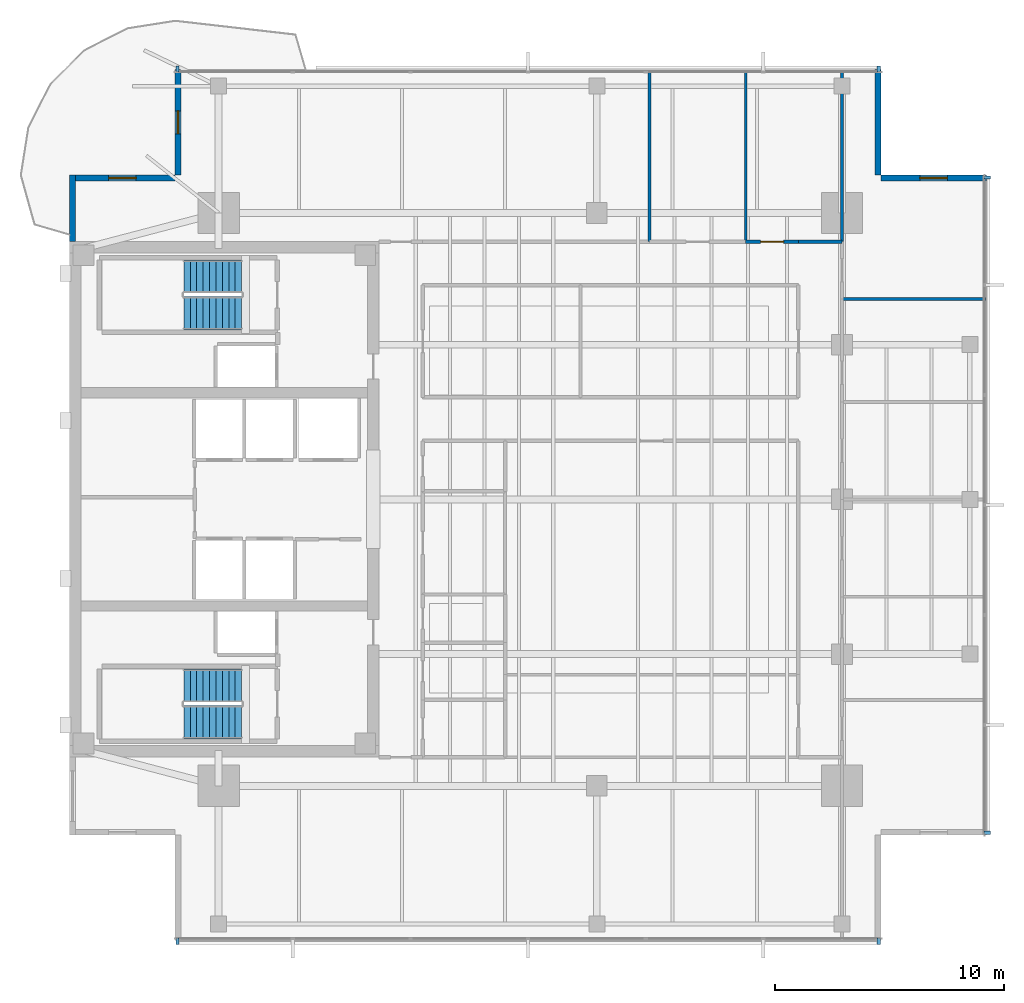
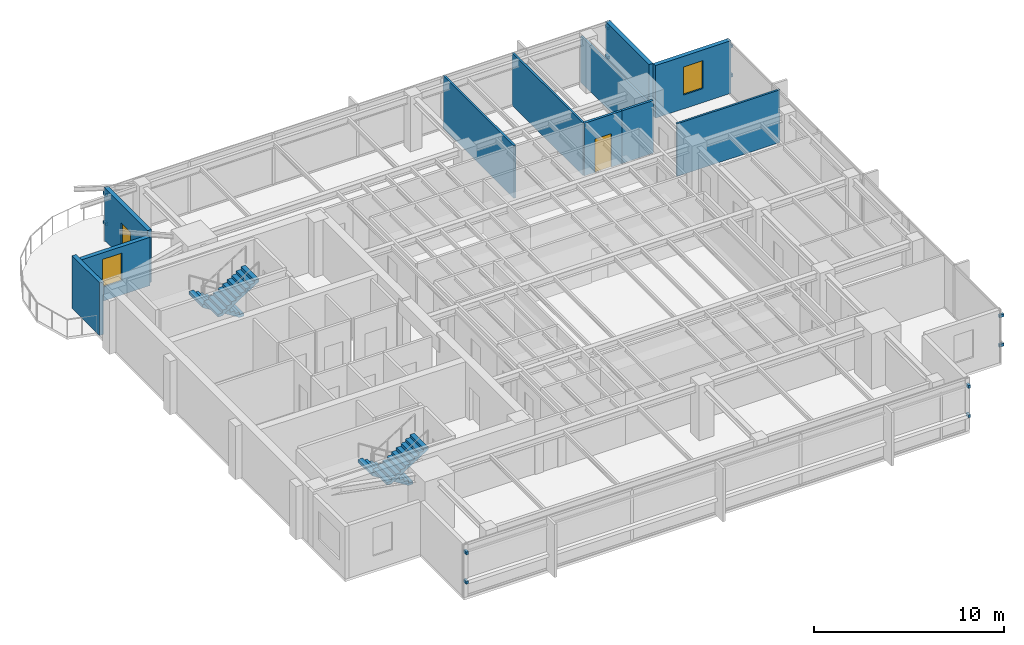
# One storey, part 10 of 14: 12 discrete accessories, 11 walls, 4 stair flights, 2 doors, 2 windows, 4 openings, 2 elements without a shape of their own.
"""IFC4 building model written with IfcOpenShell, lengths in metres."""

from ifc_helpers import new_model, si_unit, direction, frame, frame_2d, origin, origin_2d, place, context, subcontext, project, spatial, polyline, rectangle, outline, extrude, material, layer, layer_set, type_object, element, fill, aggregate, save


model = new_model("IFC4")

# Units and contexts
model_context = context("Model", 3, precision=1e-05, world=origin(), true_north=direction((0.0, 1.0)))
body_context = subcontext(model_context, "Body", "Model", "MODEL_VIEW")
ifc_project = project(units=[si_unit("LENGTHUNIT", "METRE"), si_unit("AREAUNIT", "SQUARE_METRE"), si_unit("VOLUMEUNIT", "CUBIC_METRE"), si_unit("PLANEANGLEUNIT", "RADIAN"), si_unit("MASSUNIT", "GRAM", prefix="KILO")], contexts=[model_context])

# Site, building, storey
site_placement = place(None, origin())
site = spatial("IfcSite", under=ifc_project, at=site_placement, CompositionType="ELEMENT")
building_placement = place(site_placement, origin())
building = spatial("IfcBuilding", under=site, at=building_placement, Name="Kinhvarn Gate Tower", CompositionType="ELEMENT")
storey_placement = place(building_placement, frame((0.0, 0.0, 284.75)))
storey = spatial("IfcBuildingStorey", under=building, at=storey_placement, Name="L76", CompositionType="ELEMENT", Elevation=284.75)

# Wall
ifc_material_1 = material(Name="Fired architectural terracotta", Category="masonry")
ifc_layer_1 = layer(ifc_material_1, 0.25)
ifc_layer_set_1 = layer_set([ifc_layer_1], Name="Fired architectural terracotta")
wall_type_1 = type_object("IfcWallType", Name="WL-EXT-250", PredefinedType="SOLIDWALL", material=ifc_layer_set_1)
wall_1_placement = place(storey_placement, frame((4.625, 39.39990234375, 0.0), z_axis=(0.0, 0.0, 1.0), x_axis=(0.0, -1.0, 0.0)))
element("IfcWall", 1, at=wall_1_placement, inside=storey, type_object=wall_type_1, Name="Exterior Solidwall Wall EW-250 (L76 West-North)", PredefinedType="SOLIDWALL", context=body_context, shape_type="SweptSolid", body=[
    extrude(rectangle(XDim=2.89990234375, YDim=0.25, at=frame_2d((1.449951171875, 0.0))), origin(), (0.0, 0.0, 1.0), 3.389892578125),
])

# Wall, opening, window
wall_2_placement = place(storey_placement, frame((44.5, 39.27490234375, 0.0), z_axis=(0.0, 0.0, 1.0), x_axis=(-1.0, 0.0, 0.0)))
wall_2 = element("IfcWall", 2, at=wall_2_placement, inside=storey, type_object=wall_type_1, Name="Exterior Solidwall Wall EW-250 (L76 NE-Notch-1)", PredefinedType="SOLIDWALL", context=body_context, shape_type="SweptSolid", body=[
    extrude(rectangle(XDim=4.60009765625, YDim=0.25, at=frame_2d((2.300048828125, 0.0))), origin(), (0.0, 0.0, 1.0), 3.389892578125),
])
opening_1_placement = place(wall_2_placement, frame((1.699951171875, 0.0, 0.89990234375)))
opening_1 = element("IfcOpeningElement", 3, at=opening_1_placement, cuts=wall_2, Name="Opening WN-02", PredefinedType="OPENING", context=body_context, shape_type="SweptSolid", body=[
    extrude(rectangle(XDim=1.199951171875, YDim=1.800048828125, at=frame_2d((0.60009765625, 0.89990234375))), frame((0.0, 0.135009765625, 0.0), z_axis=(0.0, -1.0, 0.0), x_axis=(1.0, 0.0, 0.0)), (0.0, 0.0, 1.0), 0.27001953125),
])
ifc_material_2 = material(Name="Clear low-e double glazing", Category="glass")
window_type = type_object("IfcWindowType", Name="WIN-NTC-1200", PartitioningType="SINGLE_PANEL", PredefinedType="WINDOW", material=ifc_material_2)
window_1_placement = place(opening_1_placement, origin())
window_1 = element("IfcWindow", 4, at=window_1_placement, inside=storey, type_object=window_type, Name="Recessed Corner Notch Punched Window 1200x1800 mm (L76)", OverallHeight=1.800048828125, OverallWidth=1.199951171875, PartitioningType="SINGLE_PANEL", PredefinedType="WINDOW", context=body_context, shape_type="SweptSolid", body=[
    extrude(rectangle(XDim=1.199951171875, YDim=1.800048828125, at=frame_2d((0.60009765625, 0.89990234375))), frame((0.0, 0.030029296875, 0.0), z_axis=(0.0, -1.0, 0.0), x_axis=(1.0, 0.0, 0.0)), (0.0, 0.0, 1.0), 0.06005859375),
])
fill(opening_1, window_1)

# Wall
wall_3_placement = place(storey_placement, frame((39.77490234375, 39.39990234375, 0.0), z_axis=(0.0, 0.0, 1.0), x_axis=(0.0, 1.0, 0.0)))
element("IfcWall", 5, at=wall_3_placement, inside=storey, type_object=wall_type_1, Name="Exterior Solidwall Wall EW-250 (L76 NE-Notch-2)", PredefinedType="SOLIDWALL", context=body_context, shape_type="SweptSolid", body=[
    extrude(rectangle(XDim=4.60009765625, YDim=0.25, at=frame_2d((2.300048828125, 0.0))), origin(), (0.0, 0.0, 1.0), 3.389892578125),
])

# Wall, opening, door
wall_4_placement = place(storey_placement, frame((9.22509765625, 44.0, 0.0), z_axis=(0.0, 0.0, 1.0), x_axis=(0.0, -1.0, 0.0)))
wall_4 = element("IfcWall", 6, at=wall_4_placement, inside=storey, type_object=wall_type_1, Name="Exterior Solidwall Wall EW-250 (L76 NW-Notch-Door)", PredefinedType="SOLIDWALL", context=body_context, shape_type="SweptSolid", body=[
    extrude(rectangle(XDim=4.60009765625, YDim=0.25, at=frame_2d((2.300048828125, 0.0))), origin(), (0.0, 0.0, 1.0), 3.389892578125),
])
opening_2_placement = place(wall_4_placement, frame((1.800048828125, 0.0, 0.0)))
opening_2 = element("IfcOpeningElement", 7, at=opening_2_placement, cuts=wall_4, Name="Opening BD-01", PredefinedType="OPENING", context=body_context, shape_type="SweptSolid", body=[
    extrude(rectangle(XDim=1.0, YDim=2.199951171875, at=frame_2d((0.5, 1.10009765625))), frame((0.0, 0.135009765625, 0.0), z_axis=(0.0, -1.0, 0.0), x_axis=(1.0, 0.0, 0.0)), (0.0, 0.0, 1.0), 0.27001953125),
])
door_type_1 = type_object("IfcDoorType", Name="DR-BAL-1000", OperationType="NOTDEFINED", PredefinedType="DOOR", material=ifc_material_2)
door_1_placement = place(opening_2_placement, frame((1.0, 0.0, 0.0), z_axis=(0.0, 0.0, 1.0), x_axis=(-1.0, 0.0, 0.0)))
door_1 = element("IfcDoor", 8, at=door_1_placement, inside=storey, type_object=door_type_1, Name="S-Carve Balcony Door BD-01 (L76)", OperationType="SINGLE_SWING_RIGHT", OverallHeight=2.199951171875, OverallWidth=1.0, PredefinedType="DOOR", context=body_context, shape_type="SweptSolid", body=[
    extrude(rectangle(XDim=1.0, YDim=2.199951171875, at=frame_2d((0.5, 1.10009765625))), frame((0.0, 0.02490234375, 0.0), z_axis=(0.0, -1.0, 0.0), x_axis=(1.0, 0.0, 0.0)), (0.0, 0.0, 1.0), 0.050048828125),
])
fill(opening_2, door_1)

# Wall, opening, window
wall_5_placement = place(storey_placement, frame((9.10009765625, 39.27490234375, 0.0), z_axis=(0.0, 0.0, 1.0), x_axis=(-1.0, 0.0, 0.0)))
wall_5 = element("IfcWall", 9, at=wall_5_placement, inside=storey, type_object=wall_type_1, Name="Exterior Solidwall Wall EW-250 (L76 NW-Notch-Win)", PredefinedType="SOLIDWALL", context=body_context, shape_type="SweptSolid", body=[
    extrude(rectangle(XDim=4.60009765625, YDim=0.25, at=frame_2d((2.300048828125, 0.0))), origin(), (0.0, 0.0, 1.0), 3.1201171875),
])
opening_3_placement = place(wall_5_placement, frame((1.699951171875, 0.0, 0.89990234375)))
opening_3 = element("IfcOpeningElement", 10, at=opening_3_placement, cuts=wall_5, Name="Opening WN-02", PredefinedType="OPENING", context=body_context, shape_type="SweptSolid", body=[
    extrude(rectangle(XDim=1.199951171875, YDim=1.800048828125, at=frame_2d((0.60009765625, 0.89990234375))), frame((0.0, 0.135009765625, 0.0), z_axis=(0.0, -1.0, 0.0), x_axis=(1.0, 0.0, 0.0)), (0.0, 0.0, 1.0), 0.27001953125),
])
window_2_placement = place(opening_3_placement, origin())
window_2 = element("IfcWindow", 11, at=window_2_placement, inside=storey, type_object=window_type, Name="Recessed Corner Notch Punched Window 1200x1800 mm (L76)", OverallHeight=1.800048828125, OverallWidth=1.199951171875, PartitioningType="SINGLE_PANEL", PredefinedType="WINDOW", context=body_context, shape_type="SweptSolid", body=[
    extrude(rectangle(XDim=1.199951171875, YDim=1.800048828125, at=frame_2d((0.60009765625, 0.89990234375))), frame((0.0, 0.030029296875, 0.0), z_axis=(0.0, -1.0, 0.0), x_axis=(1.0, 0.0, 0.0)), (0.0, 0.0, 1.0), 0.06005859375),
])
fill(opening_3, window_2)

# Walls
ifc_material_3 = material(Name="Gypsum acoustic partition board")
ifc_layer_2 = layer(ifc_material_3, 0.1201171875)
ifc_layer_set_2 = layer_set([ifc_layer_2], Name="Gypsum acoustic partition board")
wall_type_2 = type_object("IfcWallType", Name="WL-PRT-120", PredefinedType="PARTITIONING", material=ifc_layer_set_2)
for number, where, z_axis, x_axis, name in (
    (12, (29.800048828125, 36.5, 0.0), (0.0, 0.0, 1.0), (0.0, 1.0, 0.0), "Interior Partition PW-120 (L76)"),
    (13, (34.0, 36.5, 0.0), (0.0, 0.0, 1.0), (0.0, 1.0, 0.0), "Interior Partition PW-120 (L76)"),
):
    element("IfcWall", number, at=place(storey_placement, frame(where, z_axis=z_axis, x_axis=x_axis)), inside=storey, type_object=wall_type_2, Name=name, PredefinedType="PARTITIONING", context=body_context, shape_type="SweptSolid", body=[
        extrude(rectangle(XDim=7.489990234375, YDim=0.1201171875, at=frame_2d((3.7451171875, 0.0))), origin(), (0.0, 0.0, 1.0), 3.389892578125),
    ])
wall_6_placement = place(storey_placement, frame((38.199951171875, 36.5, 0.0), z_axis=(0.0, 0.0, 1.0), x_axis=(0.0, 1.0, 0.0)))
element("IfcWall", 14, at=wall_6_placement, inside=storey, type_object=wall_type_2, Name="Interior Partition PW-120 (L76)", PredefinedType="PARTITIONING", context=body_context, shape_type="SweptSolid", body=[
    extrude(rectangle(XDim=7.489990234375, YDim=0.1201171875, at=frame_2d((3.7451171875, 0.0))), origin(), (0.0, 0.0, 1.0), 2.989990234375),
])
wall_7_placement = place(storey_placement, frame((38.199951171875, 34.0, 0.0), z_axis=(0.0, 0.0, 1.0), x_axis=(1.0, 0.0, 0.0)))
element("IfcWall", 15, at=wall_7_placement, inside=storey, type_object=wall_type_2, Name="Interior Partition PW-120 (L76)", PredefinedType="PARTITIONING", context=body_context, shape_type="SweptSolid", body=[
    extrude(rectangle(XDim=6.2900390625, YDim=0.1201171875, at=frame_2d((3.14501953125, 0.0))), origin(), (0.0, 0.0, 1.0), 3.389892578125),
])
ifc_layer_3 = layer(ifc_material_3, 0.14990234375)
ifc_layer_set_3 = layer_set([ifc_layer_3], Name="Gypsum acoustic partition board")
wall_type_3 = type_object("IfcWallType", Name="WL-PRT-150F", PredefinedType="PARTITIONING", material=ifc_layer_set_3)
wall_8_placement = place(storey_placement, frame((36.300048828125, 36.5, 0.0), z_axis=(0.0, 0.0, 1.0), x_axis=(1.0, 0.0, 0.0)))
element("IfcWall", 16, at=wall_8_placement, inside=storey, type_object=wall_type_3, Name="Interior Partition PW-150F (L76)", PredefinedType="PARTITIONING", context=body_context, shape_type="SweptSolid", body=[
    extrude(rectangle(XDim=1.89990234375, YDim=0.14990234375, at=frame_2d((0.949951171875, 0.0))), origin(), (0.0, 0.0, 1.0), 3.389892578125),
])

# Wall, opening, door
wall_9_placement = place(storey_placement, frame((34.0, 36.5, 0.0), z_axis=(0.0, 0.0, 1.0), x_axis=(1.0, 0.0, 0.0)))
wall_9 = element("IfcWall", 17, at=wall_9_placement, inside=storey, type_object=wall_type_3, Name="Interior Partition PW-150F (L76)", PredefinedType="PARTITIONING", context=body_context, shape_type="SweptSolid", body=[
    extrude(rectangle(XDim=2.300048828125, YDim=0.14990234375, at=frame_2d((1.14990234375, 0.0))), origin(), (0.0, 0.0, 1.0), 3.389892578125),
])
opening_4_placement = place(wall_9_placement, frame((0.64990234375, 0.0, 0.0)))
opening_4 = element("IfcOpeningElement", 18, at=opening_4_placement, cuts=wall_9, Name="Opening ID-02", PredefinedType="OPENING", context=body_context, shape_type="SweptSolid", body=[
    extrude(rectangle(XDim=1.0, YDim=2.14990234375, at=frame_2d((0.5, 1.074951171875))), frame((0.0, 0.0849609375, 0.0), z_axis=(0.0, -1.0, 0.0), x_axis=(1.0, 0.0, 0.0)), (0.0, 0.0, 1.0), 0.169921875),
])
ifc_material_4 = material(Name="Anodised aluminium AW-6063", Category="aluminium")
door_type_2 = type_object("IfcDoorType", Name="DR-INT-1000", OperationType="NOTDEFINED", PredefinedType="DOOR", material=ifc_material_4)
door_2_placement = place(opening_4_placement, origin())
door_2 = element("IfcDoor", 19, at=door_2_placement, inside=storey, type_object=door_type_2, Name="Standard Office & Meeting Room Door 1000x2150 mm (L76)", OperationType="SINGLE_SWING_LEFT", OverallHeight=2.14990234375, OverallWidth=1.0, PredefinedType="DOOR", context=body_context, shape_type="SweptSolid", body=[
    extrude(rectangle(XDim=1.0, YDim=2.14990234375, at=frame_2d((0.5, 1.074951171875))), frame((0.0, 0.02490234375, 0.0), z_axis=(0.0, -1.0, 0.0), x_axis=(1.0, 0.0, 0.0)), (0.0, 0.0, 1.0), 0.050048828125),
])
fill(opening_4, door_2)

# Stair, stair flights
ifc_material_5 = material(Name="Concrete C40/50", Category="concrete")
stair_type = type_object("IfcStairType", Name="STR-DLG-178", PredefinedType="HALF_TURN_STAIR", material=ifc_material_5)
stair_1_placement = place(storey_placement, origin())
stair_1 = element("IfcStair", 20, at=stair_1_placement, inside=storey, type_object=stair_type, Name="L76 Core Smokeproof Exit Stair ST1", PredefinedType="HALF_TURN_STAIR")
stair_flight_type = type_object("IfcStairFlightType", Name="STF-DLG-178", PredefinedType="STRAIGHT", material=ifc_material_5)
stair_flight_1_placement = place(storey_placement, frame((12.0, 17.125, 0.0), z_axis=(0.0, 0.0, 1.0), x_axis=(-1.0, 0.0, 0.0)))
stair_flight_1 = element("IfcStairFlight", 21, at=stair_flight_1_placement, type_object=stair_flight_type, Name="ST1 flight 1", NumberOfRisers=10, NumberOfTreads=9, PredefinedType="STRAIGHT", RiserHeight=0.1775, TreadLength=0.28, context=body_context, shape_type="SweptSolid", body=[
    extrude(outline(polyline([(0.0, 0.0), (0.0, 0.177490234375), (0.280029296875, 0.177490234375), (0.280029296875, 0.35498046875), (0.56005859375, 0.35498046875), (0.56005859375, 0.532470703125), (0.840087890625, 0.532470703125), (0.840087890625, 0.7099609375), (1.1201171875, 0.7099609375), (1.1201171875, 0.887451171875), (1.39990234375, 0.887451171875), (1.39990234375, 1.06494140625), (1.679931640625, 1.06494140625), (1.679931640625, 1.242431640625), (1.9599609375, 1.242431640625), (1.9599609375, 1.419921875), (2.239990234375, 1.419921875), (2.239990234375, 1.597412109375), (2.52001953125, 1.597412109375), (2.52001953125, 1.77490234375), (2.52001953125, 1.419921875), (0.280029296875, 0.0), (0.0, 0.0)])), frame((0.0, 0.72509765625, 0.0), z_axis=(0.0, -1.0, 0.0), x_axis=(1.0, 0.0, 0.0)), (0.0, 0.0, 1.0), 1.449951171875),
])
stair_flight_2_placement = place(storey_placement, frame((9.47998046875, 15.52490234375, 1.77490234375), z_axis=(0.0, 0.0, 1.0), x_axis=(1.0, 0.0, 0.0)))
stair_flight_2 = element("IfcStairFlight", 22, at=stair_flight_2_placement, type_object=stair_flight_type, Name="ST1 flight 2", NumberOfRisers=10, NumberOfTreads=9, PredefinedType="STRAIGHT", RiserHeight=0.1775, TreadLength=0.28, context=body_context, shape_type="SweptSolid", body=[
    extrude(outline(polyline([(0.0, 0.0), (0.0, 0.177490234375), (0.280029296875, 0.177490234375), (0.280029296875, 0.35498046875), (0.56005859375, 0.35498046875), (0.56005859375, 0.532470703125), (0.840087890625, 0.532470703125), (0.840087890625, 0.7099609375), (1.1201171875, 0.7099609375), (1.1201171875, 0.887451171875), (1.39990234375, 0.887451171875), (1.39990234375, 1.06494140625), (1.679931640625, 1.06494140625), (1.679931640625, 1.242431640625), (1.9599609375, 1.242431640625), (1.9599609375, 1.419921875), (2.239990234375, 1.419921875), (2.239990234375, 1.597412109375), (2.52001953125, 1.597412109375), (2.52001953125, 1.77490234375), (2.52001953125, 1.419921875), (0.280029296875, 0.0), (0.0, 0.0)])), frame((0.0, 0.72509765625, 0.0), z_axis=(0.0, -1.0, 0.0), x_axis=(1.0, 0.0, 0.0)), (0.0, 0.0, 1.0), 1.449951171875),
])
aggregate(stair_1, [stair_flight_1, stair_flight_2])

stair_2_placement = place(storey_placement, origin())
stair_2 = element("IfcStair", 23, at=stair_2_placement, inside=storey, type_object=stair_type, Name="L76 Core Smokeproof Exit Stair ST2", PredefinedType="HALF_TURN_STAIR")
stair_flight_3_placement = place(storey_placement, frame((12.0, 34.97509765625, 0.0), z_axis=(0.0, 0.0, 1.0), x_axis=(-1.0, 0.0, 0.0)))
stair_flight_3 = element("IfcStairFlight", 24, at=stair_flight_3_placement, type_object=stair_flight_type, Name="ST2 flight 1", NumberOfRisers=10, NumberOfTreads=9, PredefinedType="STRAIGHT", RiserHeight=0.1775, TreadLength=0.28, context=body_context, shape_type="SweptSolid", body=[
    extrude(outline(polyline([(0.0, 0.0), (0.0, 0.177490234375), (0.280029296875, 0.177490234375), (0.280029296875, 0.35498046875), (0.56005859375, 0.35498046875), (0.56005859375, 0.532470703125), (0.840087890625, 0.532470703125), (0.840087890625, 0.7099609375), (1.1201171875, 0.7099609375), (1.1201171875, 0.887451171875), (1.39990234375, 0.887451171875), (1.39990234375, 1.06494140625), (1.679931640625, 1.06494140625), (1.679931640625, 1.242431640625), (1.9599609375, 1.242431640625), (1.9599609375, 1.419921875), (2.239990234375, 1.419921875), (2.239990234375, 1.597412109375), (2.52001953125, 1.597412109375), (2.52001953125, 1.77490234375), (2.52001953125, 1.419921875), (0.280029296875, 0.0), (0.0, 0.0)])), frame((0.0, 0.72509765625, 0.0), z_axis=(0.0, -1.0, 0.0), x_axis=(1.0, 0.0, 0.0)), (0.0, 0.0, 1.0), 1.449951171875),
])
stair_flight_4_placement = place(storey_placement, frame((9.47998046875, 33.375, 1.77490234375), z_axis=(0.0, 0.0, 1.0), x_axis=(1.0, 0.0, 0.0)))
stair_flight_4 = element("IfcStairFlight", 25, at=stair_flight_4_placement, type_object=stair_flight_type, Name="ST2 flight 2", NumberOfRisers=10, NumberOfTreads=9, PredefinedType="STRAIGHT", RiserHeight=0.1775, TreadLength=0.28, context=body_context, shape_type="SweptSolid", body=[
    extrude(outline(polyline([(0.0, 0.0), (0.0, 0.177490234375), (0.280029296875, 0.177490234375), (0.280029296875, 0.35498046875), (0.56005859375, 0.35498046875), (0.56005859375, 0.532470703125), (0.840087890625, 0.532470703125), (0.840087890625, 0.7099609375), (1.1201171875, 0.7099609375), (1.1201171875, 0.887451171875), (1.39990234375, 0.887451171875), (1.39990234375, 1.06494140625), (1.679931640625, 1.06494140625), (1.679931640625, 1.242431640625), (1.9599609375, 1.242431640625), (1.9599609375, 1.419921875), (2.239990234375, 1.419921875), (2.239990234375, 1.597412109375), (2.52001953125, 1.597412109375), (2.52001953125, 1.77490234375), (2.52001953125, 1.419921875), (0.280029296875, 0.0), (0.0, 0.0)])), frame((0.0, 0.72509765625, 0.0), z_axis=(0.0, -1.0, 0.0), x_axis=(1.0, 0.0, 0.0)), (0.0, 0.0, 1.0), 1.449951171875),
])
aggregate(stair_2, [stair_flight_3, stair_flight_4])

# Discrete accessories
discrete_accessory_type = type_object("IfcDiscreteAccessoryType", Name="ACC-BRK-01", PredefinedType="BRACKET", material=ifc_material_4)
for number, where, z_axis, x_axis, name in (
    (26, (9.199951171875, 5.969970703125, 0.9599609375), (0.0, 0.0, 1.0), (1.0, 0.0, 0.0), "Baguette Support Bracket BK-01 (L76)"),
    (27, (9.199951171875, 5.969970703125, 2.85009765625), (0.0, 0.0, 1.0), (1.0, 0.0, 0.0), "Baguette Support Bracket BK-01 (L76)"),
    (28, (39.800048828125, 5.969970703125, 0.9599609375), (0.0, 0.0, 1.0), (1.0, 0.0, 0.0), "Baguette Support Bracket BK-01 (L76)"),
    (29, (39.800048828125, 5.969970703125, 2.85009765625), (0.0, 0.0, 1.0), (1.0, 0.0, 0.0), "Baguette Support Bracket BK-01 (L76)"),
    (30, (39.800048828125, 44.030029296875, 0.9599609375), (0.0, 0.0, 1.0), (-1.0, 0.0, 0.0), "Baguette Support Bracket BK-01 (L76)"),
    (31, (39.800048828125, 44.030029296875, 2.85009765625), (0.0, 0.0, 1.0), (-1.0, 0.0, 0.0), "Baguette Support Bracket BK-01 (L76)"),
    (32, (9.199951171875, 44.030029296875, 0.9599609375), (0.0, 0.0, 1.0), (-1.0, 0.0, 0.0), "Baguette Support Bracket BK-01 (L76)"),
    (33, (9.199951171875, 44.030029296875, 2.85009765625), (0.0, 0.0, 1.0), (-1.0, 0.0, 0.0), "Baguette Support Bracket BK-01 (L76)"),
    (34, (44.530029296875, 10.699951171875, 0.9599609375), (0.0, 0.0, 1.0), (0.0, 1.0, 0.0), "Baguette Support Bracket BK-01 (L76)"),
    (35, (44.530029296875, 10.699951171875, 2.85009765625), (0.0, 0.0, 1.0), (0.0, 1.0, 0.0), "Baguette Support Bracket BK-01 (L76)"),
    (36, (44.530029296875, 39.300048828125, 0.9599609375), (0.0, 0.0, 1.0), (0.0, 1.0, 0.0), "Baguette Support Bracket BK-01 (L76)"),
    (37, (44.530029296875, 39.300048828125, 2.85009765625), (0.0, 0.0, 1.0), (0.0, 1.0, 0.0), "Baguette Support Bracket BK-01 (L76)"),
):
    element("IfcDiscreteAccessory", number, at=place(storey_placement, frame(where, z_axis=z_axis, x_axis=x_axis)), inside=storey, type_object=discrete_accessory_type, Name=name, PredefinedType="BRACKET", context=body_context, shape_type="SweptSolid", body=[
        extrude(rectangle(XDim=0.139892578125, YDim=0.280029296875, at=origin_2d()), origin(), (0.0, 0.0, 1.0), 0.179931640625),
    ])

save(model, "model.ifc")
